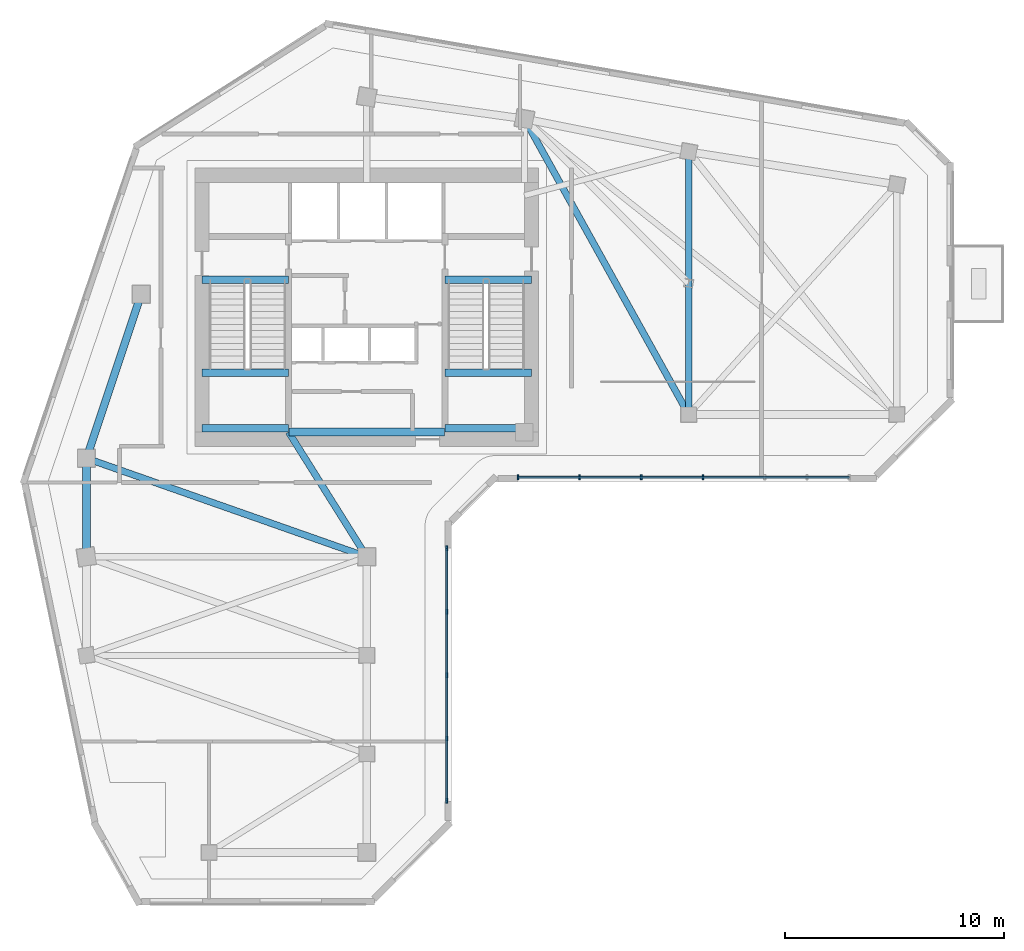
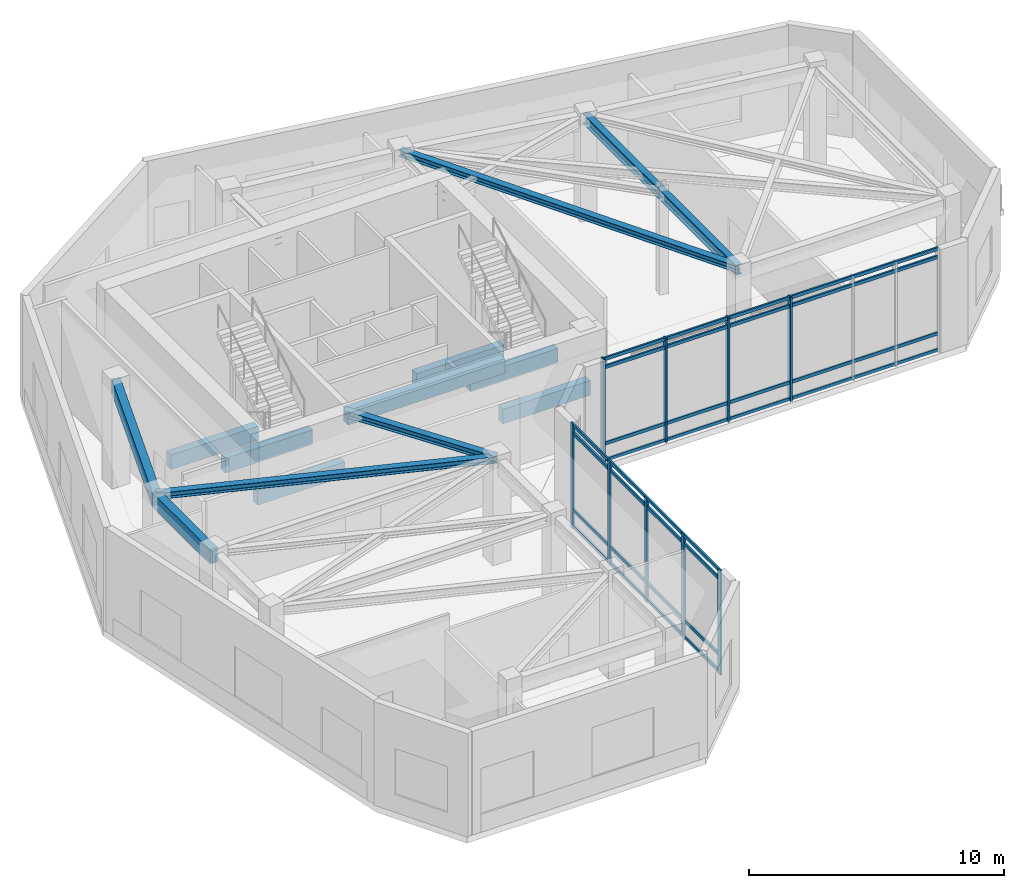
# One storey, part 2 of 10: 17 members, 13 beams, 2 elements without a shape of their own.
"""IFC4 building model written with IfcOpenShell, lengths in metres."""

from ifc_helpers import new_model, si_unit, direction, frame, origin, origin_2d, place, context, subcontext, project, spatial, rectangle, i_section, extrude, source, transform, mapped, material, material_profile, profile_set, type_object, element, aggregate, save


model = new_model("IFC4")

# Units and contexts
model_context = context("Model", 3, precision=1e-05, world=origin(), true_north=direction((0.0, 1.0)))
body_context = subcontext(model_context, "Body", "Model", "MODEL_VIEW")
ifc_project = project(units=[si_unit("LENGTHUNIT", "METRE"), si_unit("AREAUNIT", "SQUARE_METRE"), si_unit("VOLUMEUNIT", "CUBIC_METRE"), si_unit("PLANEANGLEUNIT", "RADIAN"), si_unit("MASSUNIT", "GRAM", prefix="KILO")], contexts=[model_context])

# Site, building, storey
site_placement = place(None, origin())
site = spatial("IfcSite", under=ifc_project, at=site_placement, CompositionType="ELEMENT")
building_placement = place(site_placement, origin())
building = spatial("IfcBuilding", under=site, at=building_placement, Name="Calvemar Wedge Station Tower", CompositionType="ELEMENT")
storey_placement = place(building_placement, frame((0.0, 0.0, 178.199951171875)))
storey = spatial("IfcBuildingStorey", under=building, at=storey_placement, Name="L44", CompositionType="ELEMENT", Elevation=178.199951171875)

# Beams
ifc_material_1 = material(Name="Concrete C70", Category="concrete")
ifc_material_profile_1 = material_profile(ifc_material_1, rectangle(XDim=0.35009765625, YDim=0.699951171875, at=origin_2d()), Name="RC350x700")
ifc_profile_set_1 = profile_set([ifc_material_profile_1], Name="Concrete C70")
beam_type_1 = type_object("IfcBeamType", Name="BM-LN1-700", PredefinedType="LINTEL", material=ifc_profile_set_1)
shared_shape_1 = source(origin(), body_context, "Body", "SweptSolid", [
    extrude(rectangle(XDim=0.35009765625, YDim=0.699951171875, at=origin_2d()), origin(), (0.0, 0.0, 1.0), 7.10009765625),
])
beam_1_placement = place(storey_placement, frame((20.25, 34.199951171875, 4.60009765625), z_axis=(1.0, 0.0, 0.0), x_axis=(0.0, 1.0, 0.0)))
element("IfcBeam", 1, at=beam_1_placement, inside=storey, type_object=beam_type_1, Name="Storey L44 Core Coupling Lintel South", PredefinedType="LINTEL", context=body_context, shape_type="MappedRepresentation", body=[
    mapped(shared_shape_1, transform((0.0, 0.0, 0.0), scale=1.0)),
])
ifc_material_2 = material(Name="Structural steel ASTM A572 Grade 50", Category="steel")
ifc_material_profile_2 = material_profile(ifc_material_2, i_section(OverallWidth=0.304931640625, OverallDepth=0.30810546875, WebThickness=0.010009765625, FlangeThickness=0.015380859375, FilletRadius=0.014892578125, at=origin_2d()), Name="W310x97")
ifc_profile_set_2 = profile_set([ifc_material_profile_2], Name="Structural steel ASTM A572 Grade 50")
beam_type_2 = type_object("IfcBeamType", Name="BM-J6-W310", PredefinedType="JOIST", material=ifc_profile_set_2)
shared_shape_2 = source(origin(), body_context, "Body", "SweptSolid", [
    extrude(i_section(OverallWidth=0.304931640625, OverallDepth=0.30810546875, WebThickness=0.010009765625, FlangeThickness=0.015380859375, FilletRadius=0.014892578125, at=origin_2d()), origin(), (0.0, 0.0, 1.0), 15.443359375),
])
beam_2_placement = place(storey_placement, frame((31.0, 48.5, 4.796142578125), z_axis=(0.485642931179, -0.874157276122, 0.0), x_axis=(0.874157276122, 0.485642931179, 0.0)))
element("IfcBeam", 2, at=beam_2_placement, inside=storey, type_object=beam_type_2, Name="Storey L44 Floor Beam T-N2-T-NL2", PredefinedType="JOIST", context=body_context, shape_type="MappedRepresentation", body=[
    mapped(shared_shape_2, transform((0.0, 0.0, 0.0), scale=1.0)),
])
shared_shape_3 = source(origin(), body_context, "Body", "SweptSolid", [
    extrude(i_section(OverallWidth=0.304931640625, OverallDepth=0.30810546875, WebThickness=0.010009765625, FlangeThickness=0.015380859375, FilletRadius=0.014892578125, at=origin_2d()), origin(), (0.0, 0.0, 1.0), 13.568115234375),
])
beam_3_placement = place(storey_placement, frame((11.0, 33.0, 4.796142578125), z_axis=(0.943398221169, -0.331662171939, 0.0), x_axis=(0.331662171939, 0.943398221169, 0.0)))
element("IfcBeam", 3, at=beam_3_placement, inside=storey, type_object=beam_type_2, Name="Storey L44 Floor Beam T-NW1-T-SE1", PredefinedType="JOIST", context=body_context, shape_type="MappedRepresentation", body=[
    mapped(shared_shape_3, transform((0.0, 0.0, 0.0), scale=1.0)),
])
shared_shape_4 = source(origin(), body_context, "Body", "SweptSolid", [
    extrude(i_section(OverallWidth=0.304931640625, OverallDepth=0.30810546875, WebThickness=0.010009765625, FlangeThickness=0.015380859375, FilletRadius=0.014892578125, at=origin_2d()), origin(), (0.0, 0.0, 1.0), 6.7255859375),
])
beam_4_placement = place(storey_placement, frame((20.22998046875, 34.199951171875, 4.796142578125), z_axis=(0.530811158438, -0.847490126242, 0.0), x_axis=(0.847490126242, 0.530811158438, 0.0)))
element("IfcBeam", 4, at=beam_4_placement, inside=storey, type_object=beam_type_2, Name="Storey L44 Core-to-Column Joist CJ-S2", PredefinedType="JOIST", context=body_context, shape_type="MappedRepresentation", body=[
    mapped(shared_shape_4, transform((0.0, 0.0, 0.0), scale=1.0)),
])
shared_shape_5 = source(origin(), body_context, "Body", "SweptSolid", [
    extrude(rectangle(XDim=0.35009765625, YDim=0.699951171875, at=origin_2d()), origin(), (0.0, 0.0, 1.0), 3.955078125),
])
for number, where, z_axis, x_axis, name in (
    (5, (16.27490234375, 41.14990234375, -0.349853515625), (1.0, 0.0, 0.0), (0.0, 1.0, 0.0), "Storey L44 Stair ST-C1 Landing Trimmer Beam"),
    (6, (16.27490234375, 34.3798828125, 2.050048828125), (1.0, 0.0, 0.0), (0.0, 1.0, 0.0), "Storey L44 Stair ST-C1 Half-Landing Beam 1A"),
    (7, (16.27490234375, 36.909912109375, 2.050048828125), (1.0, 0.0, 0.0), (0.0, 1.0, 0.0), "Storey L44 Stair ST-C1 Half-Landing Beam 1B"),
):
    element("IfcBeam", number, at=place(storey_placement, frame(where, z_axis=z_axis, x_axis=x_axis)), inside=storey, type_object=beam_type_1, Name=name, PredefinedType="LINTEL", context=body_context, shape_type="MappedRepresentation", body=[
        mapped(shared_shape_5, transform((0.0, 0.0, 0.0), scale=1.0)),
    ])
shared_shape_6 = source(origin(), body_context, "Body", "SweptSolid", [
    extrude(rectangle(XDim=0.35009765625, YDim=0.699951171875, at=origin_2d()), origin(), (0.0, 0.0, 1.0), 3.954833984375),
])
for number, where, z_axis, x_axis, name in (
    (8, (27.3701171875, 41.14990234375, -0.349853515625), (1.0, 0.0, 0.0), (0.0, 1.0, 0.0), "Storey L44 Stair ST-C2 Landing Trimmer Beam"),
    (9, (27.3701171875, 34.3798828125, 2.050048828125), (1.0, 0.0, 0.0), (0.0, 1.0, 0.0), "Storey L44 Stair ST-C2 Half-Landing Beam 1A"),
    (10, (27.3701171875, 36.909912109375, 2.050048828125), (1.0, 0.0, 0.0), (0.0, 1.0, 0.0), "Storey L44 Stair ST-C2 Half-Landing Beam 1B"),
):
    element("IfcBeam", number, at=place(storey_placement, frame(where, z_axis=z_axis, x_axis=x_axis)), inside=storey, type_object=beam_type_1, Name=name, PredefinedType="LINTEL", context=body_context, shape_type="MappedRepresentation", body=[
        mapped(shared_shape_6, transform((0.0, 0.0, 0.0), scale=1.0)),
    ])
ifc_material_3 = material(Name="Concrete C50", Category="concrete")
ifc_material_profile_3 = material_profile(ifc_material_3, rectangle(XDim=0.35009765625, YDim=0.699951171875, at=origin_2d()), Name="RC350x700")
ifc_profile_set_3 = profile_set([ifc_material_profile_3], Name="Concrete C50")
beam_type_3 = type_object("IfcBeamType", Name="BM-SP2-700", PredefinedType="SPANDREL", material=ifc_profile_set_3)
shared_shape_7 = source(origin(), body_context, "Body", "SweptSolid", [
    extrude(rectangle(XDim=0.35009765625, YDim=0.699951171875, at=origin_2d()), origin(), (0.0, 0.0, 1.0), 7.90576171875),
])
beam_5_placement = place(storey_placement, frame((11.0, 33.0, 4.60009765625), z_axis=(0.316227766017, 0.948683298051, 0.0), x_axis=(-0.948683298051, 0.316227766017, 0.0)))
element("IfcBeam", 11, at=beam_5_placement, inside=storey, type_object=beam_type_3, Name="Storey L44 Spandrel T-NW1-T-NW2", PredefinedType="SPANDREL", context=body_context, shape_type="MappedRepresentation", body=[
    mapped(shared_shape_7, transform((0.0, 0.0, 0.0), scale=1.0)),
])
ifc_material_profile_4 = material_profile(ifc_material_2, i_section(OverallWidth=0.283935546875, OverallDepth=0.47607421875, WebThickness=0.014892578125, FlangeThickness=0.02392578125, FilletRadius=0.014892578125, at=origin_2d()), Name="W460x158")
ifc_profile_set_4 = profile_set([ifc_material_profile_4], Name="Structural steel ASTM A572 Grade 50")
beam_type_4 = type_object("IfcBeamType", Name="BM-SB5-W460H", PredefinedType="BEAM", material=ifc_profile_set_4)
shared_shape_8 = source(origin(), body_context, "Body", "SweptSolid", [
    extrude(i_section(OverallWidth=0.283935546875, OverallDepth=0.47607421875, WebThickness=0.014892578125, FlangeThickness=0.02392578125, FilletRadius=0.014892578125, at=origin_2d()), origin(), (0.0, 0.0, 1.0), 12.0),
])
beam_6_placement = place(storey_placement, frame((38.5, 47.0, 4.712158203125), z_axis=(0.0, -1.0, 0.0), x_axis=(1.0, 0.0, 0.0)))
element("IfcBeam", 12, at=beam_6_placement, inside=storey, type_object=beam_type_4, Name="Storey L44 Floor Beam T-NU3-T-NL2", PredefinedType="BEAM", context=body_context, shape_type="MappedRepresentation", body=[
    mapped(shared_shape_8, transform((0.0, 0.0, 0.0), scale=1.0)),
])
shared_shape_9 = source(origin(), body_context, "Body", "SweptSolid", [
    extrude(rectangle(XDim=0.35009765625, YDim=0.699951171875, at=origin_2d()), origin(), (0.0, 0.0, 1.0), 4.5),
])
beam_7_placement = place(storey_placement, frame((11.0, 33.0, 4.60009765625), z_axis=(0.0, -1.0, 0.0), x_axis=(1.0, 0.0, 0.0)))
element("IfcBeam", 13, at=beam_7_placement, inside=storey, type_object=beam_type_3, Name="Storey L44 Spandrel T-NW1-T-SW1", PredefinedType="SPANDREL", context=body_context, shape_type="MappedRepresentation", body=[
    mapped(shared_shape_9, transform((0.0, 0.0, 0.0), scale=1.0)),
])

# Curtain wall, members
ifc_material_4 = material(Name="Anodised aluminium 6063-T6", Category="aluminium")
curtain_wall_type = type_object("IfcCurtainWallType", Name="CW6", PredefinedType="NOTDEFINED", material=ifc_material_4)
curtain_wall_1_placement = place(storey_placement, origin())
curtain_wall_1 = element("IfcCurtainWall", 14, at=curtain_wall_1_placement, inside=storey, type_object=curtain_wall_type, Name="Storey L44 CW6 Recessed Unitised Curtain Wall 4", PredefinedType="NOTDEFINED")
ifc_material_profile_5 = material_profile(ifc_material_4, rectangle(XDim=0.080078125, YDim=0.219970703125, at=origin_2d()), Name="AL-MUL-80x220")
ifc_profile_set_5 = profile_set([ifc_material_profile_5], Name="Anodised aluminium 6063-T6")
member_type_1 = type_object("IfcMemberType", Name="CW6-MUL", PredefinedType="MULLION", material=ifc_profile_set_5)
shared_shape_10 = source(origin(), body_context, "Body", "SweptSolid", [
    extrude(rectangle(XDim=0.080078125, YDim=0.219970703125, at=origin_2d()), origin(), (0.0, 0.0, 1.0), 5.0),
])
member_1_placement = place(storey_placement, frame((27.4541015625, 17.362060546875, -0.050048828125), z_axis=(0.0, 0.0, 1.0), x_axis=(1.0, 0.0, 0.0)))
member_1 = element("IfcMember", 15, at=member_1_placement, type_object=member_type_1, Name="CW6 mullion 1", PredefinedType="MULLION", context=body_context, shape_type="MappedRepresentation", body=[
    mapped(shared_shape_10, transform((0.0, 0.0, 0.0), scale=1.0)),
])
member_2_placement = place(storey_placement, frame((27.4541015625, 20.205078125, -0.050048828125), z_axis=(0.0, 0.0, 1.0), x_axis=(1.0, 0.0, 0.0)))
member_2 = element("IfcMember", 16, at=member_2_placement, type_object=member_type_1, Name="CW6 mullion 2", PredefinedType="MULLION", context=body_context, shape_type="MappedRepresentation", body=[
    mapped(shared_shape_10, transform((0.0, 0.0, 0.0), scale=1.0)),
])
member_3_placement = place(storey_placement, frame((27.4541015625, 23.0986328125, -0.050048828125), z_axis=(0.0, 0.0, 1.0), x_axis=(1.0, 0.0, 0.0)))
member_3 = element("IfcMember", 17, at=member_3_placement, type_object=member_type_1, Name="CW6 mullion 3", PredefinedType="MULLION", context=body_context, shape_type="MappedRepresentation", body=[
    mapped(shared_shape_10, transform((0.0, 0.0, 0.0), scale=1.0)),
])
member_4_placement = place(storey_placement, frame((27.4541015625, 25.992431640625, -0.050048828125), z_axis=(0.0, 0.0, 1.0), x_axis=(1.0, 0.0, 0.0)))
member_4 = element("IfcMember", 18, at=member_4_placement, type_object=member_type_1, Name="CW6 mullion 4", PredefinedType="MULLION", context=body_context, shape_type="MappedRepresentation", body=[
    mapped(shared_shape_10, transform((0.0, 0.0, 0.0), scale=1.0)),
])
member_5_placement = place(storey_placement, frame((27.4541015625, 28.885986328125, -0.050048828125), z_axis=(0.0, 0.0, 1.0), x_axis=(1.0, 0.0, 0.0)))
member_5 = element("IfcMember", 19, at=member_5_placement, type_object=member_type_1, Name="CW6 mullion 5", PredefinedType="MULLION", context=body_context, shape_type="MappedRepresentation", body=[
    mapped(shared_shape_10, transform((0.0, 0.0, 0.0), scale=1.0)),
])

curtain_wall_2_placement = place(storey_placement, origin())
curtain_wall_2 = element("IfcCurtainWall", 20, at=curtain_wall_2_placement, inside=storey, type_object=curtain_wall_type, Name="Storey L44 CW6 Recessed Unitised Curtain Wall 6", PredefinedType="NOTDEFINED")
member_6_placement = place(storey_placement, frame((30.701904296875, 32.134033203125, -0.050048828125), z_axis=(0.0, 0.0, 1.0), x_axis=(1.0, 0.0, 0.0)))
member_6 = element("IfcMember", 21, at=member_6_placement, type_object=member_type_1, Name="CW6 mullion 1", PredefinedType="MULLION", context=body_context, shape_type="MappedRepresentation", body=[
    mapped(shared_shape_10, transform((0.0, 0.0, 0.0), scale=1.0)),
])
member_7_placement = place(storey_placement, frame((33.520263671875, 32.134033203125, -0.050048828125), z_axis=(0.0, 0.0, 1.0), x_axis=(1.0, 0.0, 0.0)))
member_7 = element("IfcMember", 22, at=member_7_placement, type_object=member_type_1, Name="CW6 mullion 2", PredefinedType="MULLION", context=body_context, shape_type="MappedRepresentation", body=[
    mapped(shared_shape_10, transform((0.0, 0.0, 0.0), scale=1.0)),
])
member_8_placement = place(storey_placement, frame((36.33837890625, 32.134033203125, -0.050048828125), z_axis=(0.0, 0.0, 1.0), x_axis=(1.0, 0.0, 0.0)))
member_8 = element("IfcMember", 23, at=member_8_placement, type_object=member_type_1, Name="CW6 mullion 3", PredefinedType="MULLION", context=body_context, shape_type="MappedRepresentation", body=[
    mapped(shared_shape_10, transform((0.0, 0.0, 0.0), scale=1.0)),
])
member_9_placement = place(storey_placement, frame((39.15673828125, 32.134033203125, -0.050048828125), z_axis=(0.0, 0.0, 1.0), x_axis=(1.0, 0.0, 0.0)))
member_9 = element("IfcMember", 24, at=member_9_placement, type_object=member_type_1, Name="CW6 mullion 4", PredefinedType="MULLION", context=body_context, shape_type="MappedRepresentation", body=[
    mapped(shared_shape_10, transform((0.0, 0.0, 0.0), scale=1.0)),
])

# Member
ifc_material_profile_6 = material_profile(ifc_material_4, rectangle(XDim=0.080078125, YDim=0.155029296875, at=origin_2d()), Name="AL-TRN-80x155")
ifc_profile_set_6 = profile_set([ifc_material_profile_6], Name="Anodised aluminium 6063-T6")
member_type_2 = type_object("IfcMemberType", Name="CW6-TRN", PredefinedType="USERDEFINED", material=ifc_profile_set_6)
shared_shape_11 = source(origin(), body_context, "Body", "SweptSolid", [
    extrude(rectangle(XDim=0.080078125, YDim=0.155029296875, at=origin_2d()), origin(), (0.0, 0.0, 1.0), 11.52392578125),
])
member_10_placement = place(storey_placement, frame((27.4541015625, 17.362060546875, 0.06005859375), z_axis=(0.0, 1.0, 0.0), x_axis=(-1.0, 0.0, 0.0)))
member_10 = element("IfcMember", 25, at=member_10_placement, type_object=member_type_2, Name="CW6 transom 1", ObjectType="TRANSOM", PredefinedType="USERDEFINED", context=body_context, shape_type="MappedRepresentation", body=[
    mapped(shared_shape_11, transform((0.0, 0.0, 0.0), scale=1.0)),
])

member_11_placement = place(storey_placement, frame((27.4541015625, 17.362060546875, 0.85009765625), z_axis=(0.0, 1.0, 0.0), x_axis=(-1.0, 0.0, 0.0)))
member_11 = element("IfcMember", 26, at=member_11_placement, type_object=member_type_2, Name="CW6 transom 2", ObjectType="TRANSOM", PredefinedType="USERDEFINED", context=body_context, shape_type="MappedRepresentation", body=[
    mapped(shared_shape_11, transform((0.0, 0.0, 0.0), scale=1.0)),
])

member_12_placement = place(storey_placement, frame((27.4541015625, 17.362060546875, 4.5), z_axis=(0.0, 1.0, 0.0), x_axis=(-1.0, 0.0, 0.0)))
member_12 = element("IfcMember", 27, at=member_12_placement, type_object=member_type_2, Name="CW6 transom 3", ObjectType="TRANSOM", PredefinedType="USERDEFINED", context=body_context, shape_type="MappedRepresentation", body=[
    mapped(shared_shape_11, transform((0.0, 0.0, 0.0), scale=1.0)),
])

member_13_placement = place(storey_placement, frame((27.4541015625, 17.362060546875, 4.89013671875), z_axis=(0.0, 1.0, 0.0), x_axis=(-1.0, 0.0, 0.0)))
member_13 = element("IfcMember", 28, at=member_13_placement, type_object=member_type_2, Name="CW6 transom 4", ObjectType="TRANSOM", PredefinedType="USERDEFINED", context=body_context, shape_type="MappedRepresentation", body=[
    mapped(shared_shape_11, transform((0.0, 0.0, 0.0), scale=1.0)),
])

aggregate(curtain_wall_1, [member_1, member_2, member_3, member_4, member_5, member_10, member_11, member_12, member_13])

shared_shape_12 = source(origin(), body_context, "Body", "SweptSolid", [
    extrude(rectangle(XDim=0.080078125, YDim=0.155029296875, at=origin_2d()), origin(), (0.0, 0.0, 1.0), 15.135986328125),
])
member_14_placement = place(storey_placement, frame((30.701904296875, 32.134033203125, 0.06005859375), z_axis=(1.0, 0.0, 0.0), x_axis=(0.0, 1.0, 0.0)))
member_14 = element("IfcMember", 29, at=member_14_placement, type_object=member_type_2, Name="CW6 transom 1", ObjectType="TRANSOM", PredefinedType="USERDEFINED", context=body_context, shape_type="MappedRepresentation", body=[
    mapped(shared_shape_12, transform((0.0, 0.0, 0.0), scale=1.0)),
])

member_15_placement = place(storey_placement, frame((30.701904296875, 32.134033203125, 0.85009765625), z_axis=(1.0, 0.0, 0.0), x_axis=(0.0, 1.0, 0.0)))
member_15 = element("IfcMember", 30, at=member_15_placement, type_object=member_type_2, Name="CW6 transom 2", ObjectType="TRANSOM", PredefinedType="USERDEFINED", context=body_context, shape_type="MappedRepresentation", body=[
    mapped(shared_shape_12, transform((0.0, 0.0, 0.0), scale=1.0)),
])

member_16_placement = place(storey_placement, frame((30.701904296875, 32.134033203125, 4.5), z_axis=(1.0, 0.0, 0.0), x_axis=(0.0, 1.0, 0.0)))
member_16 = element("IfcMember", 31, at=member_16_placement, type_object=member_type_2, Name="CW6 transom 3", ObjectType="TRANSOM", PredefinedType="USERDEFINED", context=body_context, shape_type="MappedRepresentation", body=[
    mapped(shared_shape_12, transform((0.0, 0.0, 0.0), scale=1.0)),
])

member_17_placement = place(storey_placement, frame((30.701904296875, 32.134033203125, 4.89013671875), z_axis=(1.0, 0.0, 0.0), x_axis=(0.0, 1.0, 0.0)))
member_17 = element("IfcMember", 32, at=member_17_placement, type_object=member_type_2, Name="CW6 transom 4", ObjectType="TRANSOM", PredefinedType="USERDEFINED", context=body_context, shape_type="MappedRepresentation", body=[
    mapped(shared_shape_12, transform((0.0, 0.0, 0.0), scale=1.0)),
])

aggregate(curtain_wall_2, [member_6, member_7, member_8, member_9, member_14, member_15, member_16, member_17])

save(model, "model.ifc")
